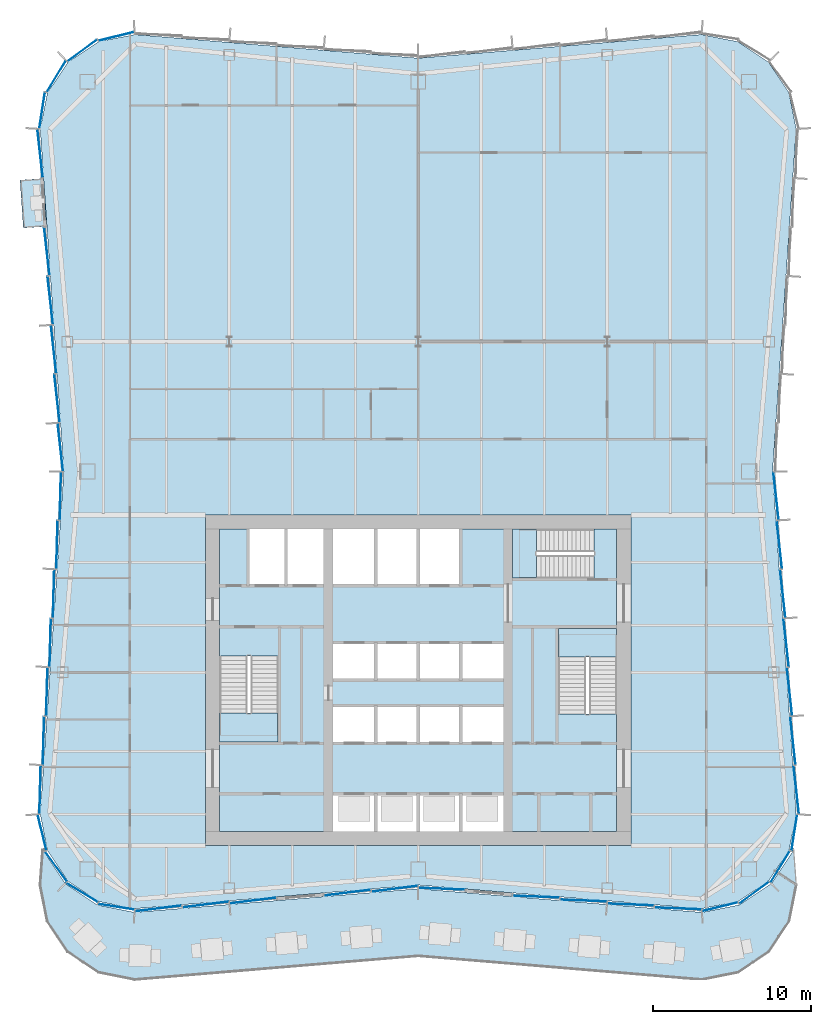
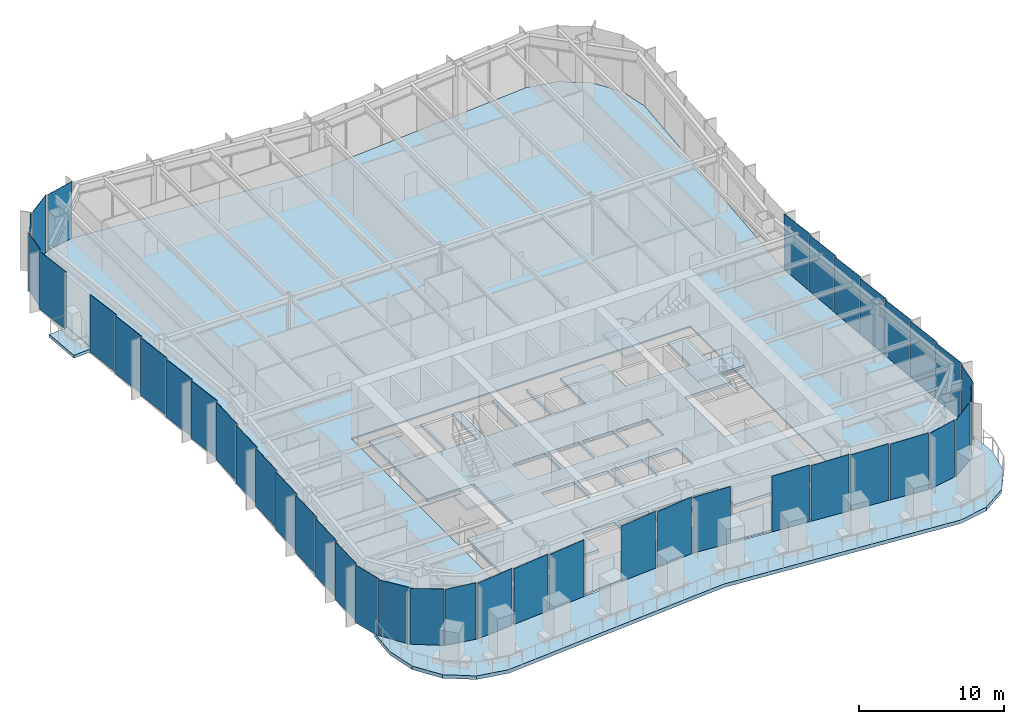
# One storey, part 7 of 16: 42 plates, 7 slabs, 9 elements without a shape of their own.
"""IFC4 building model written with IfcOpenShell, lengths in metres."""

from ifc_helpers import new_model, si_unit, direction, frame, origin, origin_2d, place, context, subcontext, project, spatial, polyline, rectangle, outline, extrude, material, layer, layer_set, type_object, element, aggregate, save


model = new_model("IFC4")

# Units and contexts
model_context = context("Model", 3, precision=1e-05, world=origin(), true_north=direction((0.0, 1.0)))
body_context = subcontext(model_context, "Body", "Model", "MODEL_VIEW")
ifc_project = project(units=[si_unit("LENGTHUNIT", "METRE"), si_unit("AREAUNIT", "SQUARE_METRE"), si_unit("VOLUMEUNIT", "CUBIC_METRE"), si_unit("PLANEANGLEUNIT", "RADIAN"), si_unit("MASSUNIT", "GRAM", prefix="KILO")], contexts=[model_context])

# Site, building, storey
site_placement = place(None, origin())
site = spatial("IfcSite", under=ifc_project, at=site_placement, CompositionType="ELEMENT")
building_placement = place(site_placement, origin())
building = spatial("IfcBuilding", under=site, at=building_placement, Name="Verdant Reach Tower", CompositionType="ELEMENT")
storey_placement = place(building_placement, frame((0.0, 0.0, 177.0)))
storey = spatial("IfcBuildingStorey", under=building, at=storey_placement, Name="L40", CompositionType="ELEMENT", Elevation=177.0)

# Stair, slab
ifc_material_1 = material(Name="Concrete C40/50", Category="concrete")
stair_type = type_object("IfcStairType", Name="CO-STAIR", PredefinedType="HALF_TURN_STAIR", material=ifc_material_1)
stair_1_placement = place(storey_placement, origin())
stair_1 = element("IfcStair", 1, at=stair_1_placement, inside=storey, type_object=stair_type, Name="L40 Exit stair 1", PredefinedType="HALF_TURN_STAIR")
ifc_layer_1 = layer(ifc_material_1, 0.199951171875)
ifc_layer_set_1 = layer_set([ifc_layer_1], Name="CO-STAIR-LANDING")
slab_type_1 = type_object("IfcSlabType", Name="CO-STAIR-LANDING", PredefinedType="LANDING", material=ifc_layer_set_1)
slab_1_placement = place(storey_placement, frame((0.0, 0.0, 2.300048828125)))
slab_1 = element("IfcSlab", 2, at=slab_1_placement, type_object=slab_type_1, Name="ST-1 landing 1", PredefinedType="LANDING", context=body_context, shape_type="SweptSolid", body=[
    extrude(outline(polyline([(-12.60009765625, 25.909912109375), (-12.60009765625, 24.10009765625), (-8.89990234375, 24.10009765625), (-8.89990234375, 25.909912109375), (-12.60009765625, 25.909912109375)])), origin(), (0.0, 0.0, 1.0), 0.199951171875),
])
aggregate(stair_1, [slab_1])

stair_2_placement = place(storey_placement, origin())
stair_2 = element("IfcStair", 3, at=stair_2_placement, inside=storey, type_object=stair_type, Name="L40 Exit stair 2", PredefinedType="HALF_TURN_STAIR")
slab_2_placement = place(storey_placement, frame((0.0, 0.0, 2.300048828125)))
slab_2 = element("IfcSlab", 4, at=slab_2_placement, type_object=slab_type_1, Name="ST-2 landing 1", PredefinedType="LANDING", context=body_context, shape_type="SweptSolid", body=[
    extrude(outline(polyline([(12.60009765625, 29.489990234375), (12.60009765625, 31.300048828125), (8.89990234375, 31.300048828125), (8.89990234375, 29.489990234375), (12.60009765625, 29.489990234375)])), origin(), (0.0, 0.0, 1.0), 0.199951171875),
])
aggregate(stair_2, [slab_2])

stair_3_placement = place(storey_placement, origin())
stair_3 = element("IfcStair", 5, at=stair_3_placement, inside=storey, type_object=stair_type, Name="L40 Exit stair 3", PredefinedType="HALF_TURN_STAIR")
slab_3_placement = place(storey_placement, frame((0.0, 0.0, 2.300048828125)))
slab_3 = element("IfcSlab", 6, at=slab_3_placement, type_object=slab_type_1, Name="ST-3 landing 1", PredefinedType="LANDING", context=body_context, shape_type="SweptSolid", body=[
    extrude(outline(polyline([(7.510009765625, 37.60009765625), (6.0, 37.60009765625), (6.0, 34.5), (7.510009765625, 34.5), (7.510009765625, 37.60009765625)])), origin(), (0.0, 0.0, 1.0), 0.199951171875),
])
aggregate(stair_3, [slab_3])

# Slab
ifc_material_2 = material(Name="Concrete C35/45", Category="concrete")
ifc_layer_2 = layer(ifc_material_2, 0.25)
ifc_layer_set_2 = layer_set([ifc_layer_2], Name="EN-BALCONY SLAB")
slab_type_2 = type_object("IfcSlabType", Name="EN-BALCONY SLAB", PredefinedType="FLOOR", material=ifc_layer_set_2)
slab_4_placement = place(storey_placement, frame((0.0, 0.0, -0.25)))
element("IfcSlab", 7, at=slab_4_placement, inside=storey, type_object=slab_type_2, Name="Balcony slab 1, L40", PredefinedType="FLOOR", context=body_context, shape_type="SweptSolid", body=[
    extrude(outline(polyline([(-23.783447265625, 59.85986328125), (-23.57373046875, 56.818603515625), (-25.070068359375, 56.71533203125), (-25.27978515625, 59.7568359375), (-23.783447265625, 59.85986328125)])), origin(), (0.0, 0.0, 1.0), 0.25),
])

# Curtain wall, plates
ifc_material_3 = material(Name="Anodised aluminium", Category="aluminium")
curtain_wall_type = type_object("IfcCurtainWallType", Name="EN-CW SYSTEM Z3", PredefinedType="NOTDEFINED", material=ifc_material_3)
curtain_wall_1_placement = place(storey_placement, origin())
curtain_wall_1 = element("IfcCurtainWall", 8, at=curtain_wall_1_placement, inside=storey, type_object=curtain_wall_type, Name="Curtain wall south-east corner, L40", PredefinedType="NOTDEFINED")
ifc_material_4 = material(Name="Tinted glass with champagne spandrel", Category="glass")
ifc_layer_3 = layer(ifc_material_4, 0.031982421875)
ifc_layer_set_3 = layer_set([ifc_layer_3], Name="EN-PANEL CHAMPAGNE")
plate_type_1 = type_object("IfcPlateType", Name="EN-PANEL CHAMPAGNE", PredefinedType="CURTAIN_PANEL", material=ifc_layer_set_3)
plate_1_placement = place(storey_placement, frame((19.171875, 13.62353515625, -0.22412109375), z_axis=(0.0, 0.0, 1.0), x_axis=(0.971655117833, 0.236402901821, 0.0)))
plate_1 = element("IfcPlate", 9, at=plate_1_placement, type_object=plate_type_1, Name="Glass panel south-east corner 1.1, L40", PredefinedType="CURTAIN_PANEL", context=body_context, shape_type="SweptSolid", body=[
    extrude(rectangle(XDim=2.3154296875, YDim=0.031982421875, at=origin_2d()), origin(), (0.0, 0.0, 1.0), 4.8740234375),
])
plate_2_placement = place(storey_placement, frame((21.328857421875, 14.51806640625, -0.22412109375), z_axis=(0.0, 0.0, 1.0), x_axis=(0.807456768214, 0.589926747542, 0.0)))
plate_2 = element("IfcPlate", 10, at=plate_2_placement, type_object=plate_type_1, Name="Glass panel south-east corner 2.1, L40", PredefinedType="CURTAIN_PANEL", context=body_context, shape_type="SweptSolid", body=[
    extrude(rectangle(XDim=2.321533203125, YDim=0.031982421875, at=origin_2d()), origin(), (0.0, 0.0, 1.0), 4.8740234375),
])
plate_3_placement = place(storey_placement, frame((22.98193359375, 16.171142578125, -0.22412109375), z_axis=(0.0, 0.0, 1.0), x_axis=(0.520291550457, 0.853988701636, 0.0)))
plate_3 = element("IfcPlate", 11, at=plate_3_placement, type_object=plate_type_1, Name="Glass panel south-east corner 3.1, L40", PredefinedType="CURTAIN_PANEL", context=body_context, shape_type="SweptSolid", body=[
    extrude(rectangle(XDim=2.321533203125, YDim=0.031982421875, at=origin_2d()), origin(), (0.0, 0.0, 1.0), 4.8740234375),
])

curtain_wall_2_placement = place(storey_placement, origin())
curtain_wall_2 = element("IfcCurtainWall", 12, at=curtain_wall_2_placement, inside=storey, type_object=curtain_wall_type, Name="Curtain wall east, L40", PredefinedType="NOTDEFINED")
plate_4_placement = place(storey_placement, frame((24.001708984375, 21.053955078125, -0.22412109375), z_axis=(0.0, 0.0, 1.0), x_axis=(-0.110214229533, 0.993907854687, 0.0)))
plate_4 = element("IfcPlate", 13, at=plate_4_placement, type_object=plate_type_1, Name="Glass panel east face part 1 1.1, L40", PredefinedType="CURTAIN_PANEL", context=body_context, shape_type="SweptSolid", body=[
    extrude(rectangle(XDim=3.06689453125, YDim=0.031982421875, at=origin_2d()), origin(), (0.0, 0.0, 1.0), 4.8740234375),
])
plate_5_placement = place(storey_placement, frame((22.716064453125, 39.7001953125, -0.22412109375), z_axis=(0.0, 0.0, 1.0), x_axis=(-0.110600785385, 0.993864913493, 0.0)))
plate_5 = element("IfcPlate", 14, at=plate_5_placement, type_object=plate_type_1, Name="Glass panel east face part 1 7.1, L40", PredefinedType="CURTAIN_PANEL", context=body_context, shape_type="SweptSolid", body=[
    extrude(rectangle(XDim=3.044921875, YDim=0.031982421875, at=origin_2d()), origin(), (0.0, 0.0, 1.0), 4.8740234375),
])

curtain_wall_3_placement = place(storey_placement, origin())
curtain_wall_3 = element("IfcCurtainWall", 15, at=curtain_wall_3_placement, inside=storey, type_object=curtain_wall_type, Name="Curtain wall west, L40", PredefinedType="NOTDEFINED")
plate_6_placement = place(storey_placement, frame((-23.358642578125, 52.117431640625, -0.22412109375), z_axis=(0.0, 0.0, 1.0), x_axis=(0.110518162674, -0.993874104562, 0.0)))
plate_6 = element("IfcPlate", 16, at=plate_6_placement, type_object=plate_type_1, Name="Glass panel west face part 1 4.1, L40", PredefinedType="CURTAIN_PANEL", context=body_context, shape_type="SweptSolid", body=[
    extrude(rectangle(XDim=3.052490234375, YDim=0.031982421875, at=origin_2d()), origin(), (0.0, 0.0, 1.0), 4.8740234375),
])
plate_7_placement = place(storey_placement, frame((-23.14453125, 49.01025390625, -0.22412109375), z_axis=(0.0, 0.0, 1.0), x_axis=(0.110518162674, -0.993874104562, 0.0)))
plate_7 = element("IfcPlate", 17, at=plate_7_placement, type_object=plate_type_1, Name="Glass panel west face part 1 5.1, L40", PredefinedType="CURTAIN_PANEL", context=body_context, shape_type="SweptSolid", body=[
    extrude(rectangle(XDim=3.052490234375, YDim=0.031982421875, at=origin_2d()), origin(), (0.0, 0.0, 1.0), 4.8740234375),
])
plate_8_placement = place(storey_placement, frame((-23.572998046875, 27.275390625, -0.22412109375), z_axis=(0.0, 0.0, 1.0), x_axis=(-0.026965318308, -0.999636369691, 0.0)))
plate_8 = element("IfcPlate", 18, at=plate_8_placement, type_object=plate_type_1, Name="Glass panel west face part 2 5.1, L40", PredefinedType="CURTAIN_PANEL", context=body_context, shape_type="SweptSolid", body=[
    extrude(rectangle(XDim=3.052490234375, YDim=0.031982421875, at=origin_2d()), origin(), (0.0, 0.0, 1.0), 4.8740234375),
])
plate_9_placement = place(storey_placement, frame((-23.787353515625, 24.168212890625, -0.22412109375), z_axis=(0.0, 0.0, 1.0), x_axis=(-0.026965318308, -0.999636369691, 0.0)))
plate_9 = element("IfcPlate", 19, at=plate_9_placement, type_object=plate_type_1, Name="Glass panel west face part 2 6.1, L40", PredefinedType="CURTAIN_PANEL", context=body_context, shape_type="SweptSolid", body=[
    extrude(rectangle(XDim=3.052490234375, YDim=0.031982421875, at=origin_2d()), origin(), (0.0, 0.0, 1.0), 4.8740234375),
])
plate_10_placement = place(storey_placement, frame((-24.001708984375, 21.053955078125, -0.22412109375), z_axis=(0.0, 0.0, 1.0), x_axis=(-0.026659626966, -0.999644568979, 0.0)))
plate_10 = element("IfcPlate", 20, at=plate_10_placement, type_object=plate_type_1, Name="Glass panel west face part 2 7.1, L40", PredefinedType="CURTAIN_PANEL", context=body_context, shape_type="SweptSolid", body=[
    extrude(rectangle(XDim=3.06689453125, YDim=0.031982421875, at=origin_2d()), origin(), (0.0, 0.0, 1.0), 4.8740234375),
])

# Curtain wall, plate
curtain_wall_4_placement = place(storey_placement, origin())
curtain_wall_4 = element("IfcCurtainWall", 21, at=curtain_wall_4_placement, inside=storey, type_object=curtain_wall_type, Name="Curtain wall south-west corner, L40", PredefinedType="NOTDEFINED")
plate_11_placement = place(storey_placement, frame((-19.171875, 13.62353515625, -0.22412109375), z_axis=(0.0, 0.0, 1.0), x_axis=(0.988029071555, -0.154267798848, 0.0)))
plate_11 = element("IfcPlate", 22, at=plate_11_placement, type_object=plate_type_1, Name="Glass panel south-west corner 4.1, L40", PredefinedType="CURTAIN_PANEL", context=body_context, shape_type="SweptSolid", body=[
    extrude(rectangle(XDim=2.3154296875, YDim=0.031982421875, at=origin_2d()), origin(), (0.0, 0.0, 1.0), 4.8740234375),
])

# Curtain wall, plates
curtain_wall_5_placement = place(storey_placement, origin())
curtain_wall_5 = element("IfcCurtainWall", 23, at=curtain_wall_5_placement, inside=storey, type_object=curtain_wall_type, Name="Curtain wall south, L40", PredefinedType="NOTDEFINED")
plate_12_placement = place(storey_placement, frame((-16.49853515625, 13.516357421875, -0.22412109375), z_axis=(0.0, 0.0, 1.0), x_axis=(0.992237766434, 0.124355196363, 0.0)))
plate_12 = element("IfcPlate", 24, at=plate_12_placement, type_object=plate_type_1, Name="Glass panel south face part 1 1.1, L40", PredefinedType="CURTAIN_PANEL", context=body_context, shape_type="SweptSolid", body=[
    extrude(rectangle(XDim=2.963623046875, YDim=0.031982421875, at=origin_2d()), origin(), (0.0, 0.0, 1.0), 4.8740234375),
])
plate_13_placement = place(storey_placement, frame((-13.490966796875, 13.766357421875, -0.22412109375), z_axis=(0.0, 0.0, 1.0), x_axis=(0.992194034542, 0.124703639961, 0.0)))
plate_13 = element("IfcPlate", 25, at=plate_13_placement, type_object=plate_type_1, Name="Glass panel south face part 1 2.1, L40", PredefinedType="CURTAIN_PANEL", context=body_context, shape_type="SweptSolid", body=[
    extrude(rectangle(XDim=2.948486328125, YDim=0.031982421875, at=origin_2d()), origin(), (0.0, 0.0, 1.0), 4.8740234375),
])
plate_14_placement = place(storey_placement, frame((-10.490966796875, 14.016357421875, -0.22412109375), z_axis=(0.0, 0.0, 1.0), x_axis=(0.992194034542, 0.124703639961, 0.0)))
plate_14 = element("IfcPlate", 26, at=plate_14_placement, type_object=plate_type_1, Name="Glass panel south face part 1 3.1, L40", PredefinedType="CURTAIN_PANEL", context=body_context, shape_type="SweptSolid", body=[
    extrude(rectangle(XDim=2.948486328125, YDim=0.031982421875, at=origin_2d()), origin(), (0.0, 0.0, 1.0), 4.8740234375),
])
plate_15_placement = place(storey_placement, frame((7.490966796875, 14.266357421875, -0.22412109375), z_axis=(0.0, 0.0, 1.0), x_axis=(0.999149202059, -0.041241629766, 0.0)))
plate_15 = element("IfcPlate", 27, at=plate_15_placement, type_object=plate_type_1, Name="Glass panel south face part 2 3.1, L40", PredefinedType="CURTAIN_PANEL", context=body_context, shape_type="SweptSolid", body=[
    extrude(rectangle(XDim=2.948486328125, YDim=0.031982421875, at=origin_2d()), origin(), (0.0, 0.0, 1.0), 4.8740234375),
])
plate_16_placement = place(storey_placement, frame((10.490966796875, 14.016357421875, -0.22412109375), z_axis=(0.0, 0.0, 1.0), x_axis=(0.999149202059, -0.041241629766, 0.0)))
plate_16 = element("IfcPlate", 28, at=plate_16_placement, type_object=plate_type_1, Name="Glass panel south face part 2 4.1, L40", PredefinedType="CURTAIN_PANEL", context=body_context, shape_type="SweptSolid", body=[
    extrude(rectangle(XDim=2.948486328125, YDim=0.031982421875, at=origin_2d()), origin(), (0.0, 0.0, 1.0), 4.8740234375),
])

# Plate
ifc_material_5 = material(Name="Tinted glass with copper spandrel", Category="glass")
ifc_layer_4 = layer(ifc_material_5, 0.031982421875)
ifc_layer_set_4 = layer_set([ifc_layer_4], Name="EN-PANEL COPPER")
plate_type_2 = type_object("IfcPlateType", Name="EN-PANEL COPPER", PredefinedType="CURTAIN_PANEL", material=ifc_layer_set_4)
plate_17_placement = place(storey_placement, frame((23.87646484375, 18.32763671875, -0.22412109375), z_axis=(0.0, 0.0, 1.0), x_axis=(0.154311870796, 0.988022189291, 0.0)))
plate_17 = element("IfcPlate", 29, at=plate_17_placement, type_object=plate_type_2, Name="Glass panel south-east corner 4.1, L40", PredefinedType="CURTAIN_PANEL", context=body_context, shape_type="SweptSolid", body=[
    extrude(rectangle(XDim=2.314697265625, YDim=0.031982421875, at=origin_2d()), origin(), (0.0, 0.0, 1.0), 4.8740234375),
])

aggregate(curtain_wall_1, [plate_1, plate_2, plate_3, plate_17])

plate_18_placement = place(storey_placement, frame((23.787353515625, 24.168212890625, -0.22412109375), z_axis=(0.0, 0.0, 1.0), x_axis=(-0.110518162674, 0.993874104562, 0.0)))
plate_18 = element("IfcPlate", 30, at=plate_18_placement, type_object=plate_type_2, Name="Glass panel east face part 1 2.1, L40", PredefinedType="CURTAIN_PANEL", context=body_context, shape_type="SweptSolid", body=[
    extrude(rectangle(XDim=3.052490234375, YDim=0.031982421875, at=origin_2d()), origin(), (0.0, 0.0, 1.0), 4.8740234375),
])

plate_19_placement = place(storey_placement, frame((23.572998046875, 27.275390625, -0.22412109375), z_axis=(0.0, 0.0, 1.0), x_axis=(-0.110518162674, 0.993874104562, 0.0)))
plate_19 = element("IfcPlate", 31, at=plate_19_placement, type_object=plate_type_2, Name="Glass panel east face part 1 3.1, L40", PredefinedType="CURTAIN_PANEL", context=body_context, shape_type="SweptSolid", body=[
    extrude(rectangle(XDim=3.052490234375, YDim=0.031982421875, at=origin_2d()), origin(), (0.0, 0.0, 1.0), 4.8740234375),
])

plate_20_placement = place(storey_placement, frame((23.358642578125, 30.382568359375, -0.22412109375), z_axis=(0.0, 0.0, 1.0), x_axis=(-0.110518162674, 0.993874104562, 0.0)))
plate_20 = element("IfcPlate", 32, at=plate_20_placement, type_object=plate_type_2, Name="Glass panel east face part 1 4.1, L40", PredefinedType="CURTAIN_PANEL", context=body_context, shape_type="SweptSolid", body=[
    extrude(rectangle(XDim=3.052490234375, YDim=0.031982421875, at=origin_2d()), origin(), (0.0, 0.0, 1.0), 4.8740234375),
])

# Curtain wall, plates
curtain_wall_6_placement = place(storey_placement, origin())
curtain_wall_6 = element("IfcCurtainWall", 33, at=curtain_wall_6_placement, inside=storey, type_object=curtain_wall_type, Name="Curtain wall north-west corner, L40", PredefinedType="NOTDEFINED")
plate_21_placement = place(storey_placement, frame((-19.171875, 68.87646484375, -0.22412109375), z_axis=(0.0, 0.0, 1.0), x_axis=(-0.971655117833, -0.236402901821, 0.0)))
plate_21 = element("IfcPlate", 34, at=plate_21_placement, type_object=plate_type_2, Name="Glass panel north-west corner 1.1, L40", PredefinedType="CURTAIN_PANEL", context=body_context, shape_type="SweptSolid", body=[
    extrude(rectangle(XDim=2.3154296875, YDim=0.031982421875, at=origin_2d()), origin(), (0.0, 0.0, 1.0), 4.8740234375),
])
plate_22_placement = place(storey_placement, frame((-21.328857421875, 67.98193359375, -0.22412109375), z_axis=(0.0, 0.0, 1.0), x_axis=(-0.807456768214, -0.589926747542, 0.0)))
plate_22 = element("IfcPlate", 35, at=plate_22_placement, type_object=plate_type_2, Name="Glass panel north-west corner 2.1, L40", PredefinedType="CURTAIN_PANEL", context=body_context, shape_type="SweptSolid", body=[
    extrude(rectangle(XDim=2.321533203125, YDim=0.031982421875, at=origin_2d()), origin(), (0.0, 0.0, 1.0), 4.8740234375),
])

# Plate
plate_23_placement = place(storey_placement, frame((-22.93017578125, 45.9033203125, -0.22412109375), z_axis=(0.0, 0.0, 1.0), x_axis=(0.110518162674, -0.993874104562, 0.0)))
plate_23 = element("IfcPlate", 36, at=plate_23_placement, type_object=plate_type_2, Name="Glass panel west face part 1 6.1, L40", PredefinedType="CURTAIN_PANEL", context=body_context, shape_type="SweptSolid", body=[
    extrude(rectangle(XDim=3.052490234375, YDim=0.031982421875, at=origin_2d()), origin(), (0.0, 0.0, 1.0), 4.8740234375),
])

plate_24_placement = place(storey_placement, frame((-22.716064453125, 42.7998046875, -0.22412109375), z_axis=(0.0, 0.0, 1.0), x_axis=(0.110600785385, -0.993864913493, 0.0)))
plate_24 = element("IfcPlate", 37, at=plate_24_placement, type_object=plate_type_2, Name="Glass panel west face part 1 7.1, L40", PredefinedType="CURTAIN_PANEL", context=body_context, shape_type="SweptSolid", body=[
    extrude(rectangle(XDim=3.044921875, YDim=0.031982421875, at=origin_2d()), origin(), (0.0, 0.0, 1.0), 4.8740234375),
])

plate_25_placement = place(storey_placement, frame((-22.716064453125, 39.7001953125, -0.22412109375), z_axis=(0.0, 0.0, 1.0), x_axis=(-0.027048420339, -0.999634124546, 0.0)))
plate_25 = element("IfcPlate", 38, at=plate_25_placement, type_object=plate_type_2, Name="Glass panel west face part 2 1.1, L40", PredefinedType="CURTAIN_PANEL", context=body_context, shape_type="SweptSolid", body=[
    extrude(rectangle(XDim=3.044921875, YDim=0.031982421875, at=origin_2d()), origin(), (0.0, 0.0, 1.0), 4.8740234375),
])

plate_26_placement = place(storey_placement, frame((-22.93017578125, 36.5966796875, -0.22412109375), z_axis=(0.0, 0.0, 1.0), x_axis=(-0.026965318308, -0.999636369691, 0.0)))
plate_26 = element("IfcPlate", 39, at=plate_26_placement, type_object=plate_type_2, Name="Glass panel west face part 2 2.1, L40", PredefinedType="CURTAIN_PANEL", context=body_context, shape_type="SweptSolid", body=[
    extrude(rectangle(XDim=3.052490234375, YDim=0.031982421875, at=origin_2d()), origin(), (0.0, 0.0, 1.0), 4.8740234375),
])

plate_27_placement = place(storey_placement, frame((-4.490966796875, 14.516357421875, -0.22412109375), z_axis=(0.0, 0.0, 1.0), x_axis=(0.992194034542, 0.124703639961, 0.0)))
plate_27 = element("IfcPlate", 40, at=plate_27_placement, type_object=plate_type_2, Name="Glass panel south face part 1 5.1, L40", PredefinedType="CURTAIN_PANEL", context=body_context, shape_type="SweptSolid", body=[
    extrude(rectangle(XDim=2.948486328125, YDim=0.031982421875, at=origin_2d()), origin(), (0.0, 0.0, 1.0), 4.8740234375),
])

plate_28_placement = place(storey_placement, frame((13.490966796875, 13.766357421875, -0.22412109375), z_axis=(0.0, 0.0, 1.0), x_axis=(0.999149202059, -0.041241629766, 0.0)))
plate_28 = element("IfcPlate", 41, at=plate_28_placement, type_object=plate_type_2, Name="Glass panel south face part 2 5.1, L40", PredefinedType="CURTAIN_PANEL", context=body_context, shape_type="SweptSolid", body=[
    extrude(rectangle(XDim=2.948486328125, YDim=0.031982421875, at=origin_2d()), origin(), (0.0, 0.0, 1.0), 4.8740234375),
])

plate_29_placement = place(storey_placement, frame((16.49853515625, 13.516357421875, -0.22412109375), z_axis=(0.0, 0.0, 1.0), x_axis=(0.999163623568, -0.040890748818, 0.0)))
plate_29 = element("IfcPlate", 42, at=plate_29_placement, type_object=plate_type_2, Name="Glass panel south face part 2 6.1, L40", PredefinedType="CURTAIN_PANEL", context=body_context, shape_type="SweptSolid", body=[
    extrude(rectangle(XDim=2.963623046875, YDim=0.031982421875, at=origin_2d()), origin(), (0.0, 0.0, 1.0), 4.8740234375),
])

ifc_material_6 = material(Name="Tinted glass with dark bronze spandrel", Category="glass")
ifc_layer_5 = layer(ifc_material_6, 0.031982421875)
ifc_layer_set_5 = layer_set([ifc_layer_5], Name="EN-PANEL DARK")
plate_type_3 = type_object("IfcPlateType", Name="EN-PANEL DARK", PredefinedType="CURTAIN_PANEL", material=ifc_layer_set_5)
plate_30_placement = place(storey_placement, frame((23.14453125, 33.48974609375, -0.22412109375), z_axis=(0.0, 0.0, 1.0), x_axis=(-0.110518162674, 0.993874104562, 0.0)))
plate_30 = element("IfcPlate", 43, at=plate_30_placement, type_object=plate_type_3, Name="Glass panel east face part 1 5.1, L40", PredefinedType="CURTAIN_PANEL", context=body_context, shape_type="SweptSolid", body=[
    extrude(rectangle(XDim=3.052490234375, YDim=0.031982421875, at=origin_2d()), origin(), (0.0, 0.0, 1.0), 4.8740234375),
])

plate_31_placement = place(storey_placement, frame((22.93017578125, 36.5966796875, -0.22412109375), z_axis=(0.0, 0.0, 1.0), x_axis=(-0.110518162674, 0.993874104562, 0.0)))
plate_31 = element("IfcPlate", 44, at=plate_31_placement, type_object=plate_type_3, Name="Glass panel east face part 1 6.1, L40", PredefinedType="CURTAIN_PANEL", context=body_context, shape_type="SweptSolid", body=[
    extrude(rectangle(XDim=3.052490234375, YDim=0.031982421875, at=origin_2d()), origin(), (0.0, 0.0, 1.0), 4.8740234375),
])

aggregate(curtain_wall_2, [plate_4, plate_18, plate_19, plate_20, plate_30, plate_31, plate_5])

plate_32_placement = place(storey_placement, frame((-22.98193359375, 66.328857421875, -0.22412109375), z_axis=(0.0, 0.0, 1.0), x_axis=(-0.520291550457, -0.853988701636, 0.0)))
plate_32 = element("IfcPlate", 45, at=plate_32_placement, type_object=plate_type_3, Name="Glass panel north-west corner 3.1, L40", PredefinedType="CURTAIN_PANEL", context=body_context, shape_type="SweptSolid", body=[
    extrude(rectangle(XDim=2.321533203125, YDim=0.031982421875, at=origin_2d()), origin(), (0.0, 0.0, 1.0), 4.8740234375),
])

plate_33_placement = place(storey_placement, frame((-23.87646484375, 64.17236328125, -0.22412109375), z_axis=(0.0, 0.0, 1.0), x_axis=(-0.154311870796, -0.988022189291, 0.0)))
plate_33 = element("IfcPlate", 46, at=plate_33_placement, type_object=plate_type_3, Name="Glass panel north-west corner 4.1, L40", PredefinedType="CURTAIN_PANEL", context=body_context, shape_type="SweptSolid", body=[
    extrude(rectangle(XDim=2.314697265625, YDim=0.031982421875, at=origin_2d()), origin(), (0.0, 0.0, 1.0), 4.8740234375),
])

aggregate(curtain_wall_6, [plate_21, plate_22, plate_32, plate_33])

plate_34_placement = place(storey_placement, frame((-24.001708984375, 61.446044921875, -0.22412109375), z_axis=(0.0, 0.0, 1.0), x_axis=(0.110214229533, -0.993907854687, 0.0)))
plate_34 = element("IfcPlate", 47, at=plate_34_placement, type_object=plate_type_3, Name="Glass panel west face part 1 1.1, L40", PredefinedType="CURTAIN_PANEL", context=body_context, shape_type="SweptSolid", body=[
    extrude(rectangle(XDim=3.06689453125, YDim=0.031982421875, at=origin_2d()), origin(), (0.0, 0.0, 1.0), 4.8740234375),
])

plate_35_placement = place(storey_placement, frame((-23.572998046875, 55.224609375, -0.22412109375), z_axis=(0.0, 0.0, 1.0), x_axis=(0.110518162674, -0.993874104562, 0.0)))
plate_35 = element("IfcPlate", 48, at=plate_35_placement, type_object=plate_type_3, Name="Glass panel west face part 1 3.1, L40", PredefinedType="CURTAIN_PANEL", context=body_context, shape_type="SweptSolid", body=[
    extrude(rectangle(XDim=3.052490234375, YDim=0.031982421875, at=origin_2d()), origin(), (0.0, 0.0, 1.0), 4.8740234375),
])

plate_36_placement = place(storey_placement, frame((-23.14453125, 33.48974609375, -0.22412109375), z_axis=(0.0, 0.0, 1.0), x_axis=(-0.026965318308, -0.999636369691, 0.0)))
plate_36 = element("IfcPlate", 49, at=plate_36_placement, type_object=plate_type_3, Name="Glass panel west face part 2 3.1, L40", PredefinedType="CURTAIN_PANEL", context=body_context, shape_type="SweptSolid", body=[
    extrude(rectangle(XDim=3.052490234375, YDim=0.031982421875, at=origin_2d()), origin(), (0.0, 0.0, 1.0), 4.8740234375),
])

plate_37_placement = place(storey_placement, frame((-23.358642578125, 30.382568359375, -0.22412109375), z_axis=(0.0, 0.0, 1.0), x_axis=(-0.026965318308, -0.999636369691, 0.0)))
plate_37 = element("IfcPlate", 50, at=plate_37_placement, type_object=plate_type_3, Name="Glass panel west face part 2 4.1, L40", PredefinedType="CURTAIN_PANEL", context=body_context, shape_type="SweptSolid", body=[
    extrude(rectangle(XDim=3.052490234375, YDim=0.031982421875, at=origin_2d()), origin(), (0.0, 0.0, 1.0), 4.8740234375),
])

aggregate(curtain_wall_3, [plate_34, plate_35, plate_6, plate_7, plate_23, plate_24, plate_25, plate_26, plate_36, plate_37, plate_8, plate_9, plate_10])

plate_38_placement = place(storey_placement, frame((-23.87646484375, 18.32763671875, -0.22412109375), z_axis=(0.0, 0.0, 1.0), x_axis=(0.23644624331, -0.97164457186, 0.0)))
plate_38 = element("IfcPlate", 51, at=plate_38_placement, type_object=plate_type_3, Name="Glass panel south-west corner 1.1, L40", PredefinedType="CURTAIN_PANEL", context=body_context, shape_type="SweptSolid", body=[
    extrude(rectangle(XDim=2.314697265625, YDim=0.031982421875, at=origin_2d()), origin(), (0.0, 0.0, 1.0), 4.8740234375),
])

plate_39_placement = place(storey_placement, frame((-22.98193359375, 16.171142578125, -0.22412109375), z_axis=(0.0, 0.0, 1.0), x_axis=(0.589926747542, -0.807456768214, 0.0)))
plate_39 = element("IfcPlate", 52, at=plate_39_placement, type_object=plate_type_3, Name="Glass panel south-west corner 2.1, L40", PredefinedType="CURTAIN_PANEL", context=body_context, shape_type="SweptSolid", body=[
    extrude(rectangle(XDim=2.321533203125, YDim=0.031982421875, at=origin_2d()), origin(), (0.0, 0.0, 1.0), 4.8740234375),
])

plate_40_placement = place(storey_placement, frame((-21.328857421875, 14.51806640625, -0.22412109375), z_axis=(0.0, 0.0, 1.0), x_axis=(0.853988701636, -0.520291550457, 0.0)))
plate_40 = element("IfcPlate", 53, at=plate_40_placement, type_object=plate_type_3, Name="Glass panel south-west corner 3.1, L40", PredefinedType="CURTAIN_PANEL", context=body_context, shape_type="SweptSolid", body=[
    extrude(rectangle(XDim=2.321533203125, YDim=0.031982421875, at=origin_2d()), origin(), (0.0, 0.0, 1.0), 4.8740234375),
])

aggregate(curtain_wall_4, [plate_38, plate_39, plate_40, plate_11])

plate_41_placement = place(storey_placement, frame((-1.495361328125, 14.76611328125, -0.22412109375), z_axis=(0.0, 0.0, 1.0), x_axis=(0.992178382939, 0.124828107529, 0.0)))
plate_41 = element("IfcPlate", 54, at=plate_41_placement, type_object=plate_type_3, Name="Glass panel south face part 1 6.1, L40", PredefinedType="CURTAIN_PANEL", context=body_context, shape_type="SweptSolid", body=[
    extrude(rectangle(XDim=2.939453125, YDim=0.031982421875, at=origin_2d()), origin(), (0.0, 0.0, 1.0), 4.8740234375),
])

plate_42_placement = place(storey_placement, frame((1.495361328125, 14.76611328125, -0.22412109375), z_axis=(0.0, 0.0, 1.0), x_axis=(0.999144020525, -0.041366970501, 0.0)))
plate_42 = element("IfcPlate", 55, at=plate_42_placement, type_object=plate_type_3, Name="Glass panel south face part 2 1.1, L40", PredefinedType="CURTAIN_PANEL", context=body_context, shape_type="SweptSolid", body=[
    extrude(rectangle(XDim=2.939453125, YDim=0.031982421875, at=origin_2d()), origin(), (0.0, 0.0, 1.0), 4.8740234375),
])

aggregate(curtain_wall_5, [plate_12, plate_13, plate_14, plate_27, plate_41, plate_42, plate_15, plate_16, plate_28, plate_29])

# Slabs
ifc_material_7 = material(Name="Concrete C35/45 with stone paving", Category="masonry")
ifc_layer_6 = layer(ifc_material_7, 0.300048828125)
ifc_layer_set_6 = layer_set([ifc_layer_6], Name="EN-TERRACE PAVING")
slab_type_3 = type_object("IfcSlabType", Name="EN-TERRACE PAVING", PredefinedType="USERDEFINED", material=ifc_layer_set_6)
slab_5_placement = place(storey_placement, frame((0.0, 0.0, -0.300048828125)))
element("IfcSlab", 56, at=slab_5_placement, inside=storey, type_object=slab_type_3, Name="South terrace deck, L40", ObjectType="PAVING", PredefinedType="USERDEFINED", context=body_context, shape_type="SweptSolid", body=[
    extrude(outline(polyline([(24.0, 15.0), (23.543212890625, 12.703857421875), (22.24267578125, 10.75732421875), (20.296142578125, 9.456787109375), (18.0, 9.0), (0.0, 10.5), (-18.0, 9.0), (-20.296142578125, 9.456787109375), (-22.24267578125, 10.75732421875), (-23.543212890625, 12.703857421875), (-24.0, 15.0), (-23.818603515625, 17.419189453125), (-23.758056640625, 17.114990234375), (-22.406982421875, 15.093017578125), (-20.385009765625, 13.741943359375), (-18.012939453125, 13.27001953125), (0.0, 14.771240234375), (18.012939453125, 13.27001953125), (20.385009765625, 13.741943359375), (22.406982421875, 15.093017578125), (23.758056640625, 17.114990234375), (23.818603515625, 17.419189453125), (24.0, 15.0)])), origin(), (0.0, 0.0, 1.0), 0.300048828125),
])
ifc_material_8 = material(Name="Concrete C35/45", Category="concrete")
ifc_layer_7 = layer(ifc_material_8, 0.1298828125)
ifc_layer_set_7 = layer_set([ifc_layer_7], Name="ST-SLAB-130")
slab_type_4 = type_object("IfcSlabType", Name="ST-SLAB-130", PredefinedType="FLOOR", material=ifc_layer_set_7)
slab_6_placement = place(storey_placement, frame((0.0, 0.0, -0.1298828125)))
element("IfcSlab", 57, at=slab_6_placement, inside=storey, type_object=slab_type_4, Name="Floor slab L40", PredefinedType="FLOOR", context=body_context, shape_type="SweptSolid", body=[
    extrude(outline(polyline([(0.0, 15.0), (-18.0, 13.5), (-20.296142578125, 13.956787109375), (-22.24267578125, 15.25732421875), (-23.543212890625, 17.203857421875), (-24.0, 19.5), (-22.5, 41.25), (-24.0, 63.0), (-23.543212890625, 65.296142578125), (-22.24267578125, 67.24267578125), (-20.296142578125, 68.543212890625), (-18.0, 69.0), (0.0, 67.5), (18.0, 69.0), (20.296142578125, 68.543212890625), (22.24267578125, 67.24267578125), (23.543212890625, 65.296142578125), (24.0, 63.0), (22.5, 41.25), (24.0, 19.5), (23.543212890625, 17.203857421875), (22.24267578125, 15.25732421875), (20.296142578125, 13.956787109375), (18.0, 13.5), (0.0, 15.0)]), holes=[polyline([(13.5, 38.5), (-13.5, 38.5), (-13.5, 17.5), (13.5, 17.5), (13.5, 38.5)])]), origin(), (0.0, 0.0, 1.0), 0.1298828125),
])
ifc_layer_8 = layer(ifc_material_8, 0.25)
ifc_layer_set_8 = layer_set([ifc_layer_8], Name="ST-SLAB-250")
slab_type_5 = type_object("IfcSlabType", Name="ST-SLAB-250", PredefinedType="FLOOR", material=ifc_layer_set_8)
slab_7_placement = place(storey_placement, frame((0.0, 0.0, -0.25)))
element("IfcSlab", 58, at=slab_7_placement, inside=storey, type_object=slab_type_5, Name="Core floor slab L40", PredefinedType="FLOOR", context=body_context, shape_type="SweptSolid", body=[
    extrude(outline(polyline([(12.60009765625, 18.39990234375), (5.39990234375, 18.39990234375), (5.39990234375, 20.699951171875), (2.800048828125, 20.699951171875), (2.800048828125, 18.39990234375), (2.60009765625, 18.39990234375), (2.60009765625, 20.699951171875), (0.10009765625, 20.699951171875), (0.10009765625, 18.39990234375), (-0.10009765625, 18.39990234375), (-0.10009765625, 20.699951171875), (-2.60009765625, 20.699951171875), (-2.60009765625, 18.39990234375), (-2.800048828125, 18.39990234375), (-2.800048828125, 20.699951171875), (-5.39990234375, 20.699951171875), (-5.39990234375, 18.39990234375), (-12.60009765625, 18.39990234375), (-12.60009765625, 24.10009765625), (-8.89990234375, 24.10009765625), (-8.89990234375, 29.548095703125), (-12.60009765625, 29.548095703125), (-12.60009765625, 37.60009765625), (-10.699951171875, 37.60009765625), (-10.699951171875, 34.10009765625), (-8.5, 34.10009765625), (-8.5, 37.60009765625), (-8.300048828125, 37.60009765625), (-8.300048828125, 34.10009765625), (-6.0, 34.10009765625), (-6.0, 37.60009765625), (-5.39990234375, 37.60009765625), (-5.39990234375, 34.10009765625), (-2.800048828125, 34.10009765625), (-2.800048828125, 37.60009765625), (-2.60009765625, 37.60009765625), (-2.60009765625, 34.10009765625), (-0.10009765625, 34.10009765625), (-0.10009765625, 37.60009765625), (0.10009765625, 37.60009765625), (0.10009765625, 34.10009765625), (2.60009765625, 34.10009765625), (2.60009765625, 37.60009765625), (6.0, 37.60009765625), (6.0, 34.5), (11.14794921875, 34.5), (11.14794921875, 37.60009765625), (12.60009765625, 37.60009765625), (12.60009765625, 31.300048828125), (8.89990234375, 31.300048828125), (8.89990234375, 25.85205078125), (12.60009765625, 25.85205078125), (12.60009765625, 18.39990234375)]), holes=[polyline([(-2.800048828125, 24.10009765625), (-2.800048828125, 26.300048828125), (-5.39990234375, 26.300048828125), (-5.39990234375, 24.10009765625), (-2.800048828125, 24.10009765625)]), polyline([(-2.60009765625, 24.10009765625), (-0.10009765625, 24.10009765625), (-0.10009765625, 26.300048828125), (-2.60009765625, 26.300048828125), (-2.60009765625, 24.10009765625)]), polyline([(-2.800048828125, 28.10009765625), (-2.800048828125, 30.300048828125), (-5.39990234375, 30.300048828125), (-5.39990234375, 28.10009765625), (-2.800048828125, 28.10009765625)]), polyline([(-0.10009765625, 28.10009765625), (-0.10009765625, 30.300048828125), (-2.60009765625, 30.300048828125), (-2.60009765625, 28.10009765625), (-0.10009765625, 28.10009765625)]), polyline([(2.60009765625, 24.10009765625), (2.60009765625, 26.300048828125), (0.10009765625, 26.300048828125), (0.10009765625, 24.10009765625), (2.60009765625, 24.10009765625)]), polyline([(2.800048828125, 24.10009765625), (5.39990234375, 24.10009765625), (5.39990234375, 26.300048828125), (2.800048828125, 26.300048828125), (2.800048828125, 24.10009765625)]), polyline([(2.60009765625, 28.10009765625), (2.60009765625, 30.300048828125), (0.10009765625, 30.300048828125), (0.10009765625, 28.10009765625), (2.60009765625, 28.10009765625)]), polyline([(5.39990234375, 28.10009765625), (5.39990234375, 30.300048828125), (2.800048828125, 30.300048828125), (2.800048828125, 28.10009765625), (5.39990234375, 28.10009765625)])]), origin(), (0.0, 0.0, 1.0), 0.25),
])

save(model, "model.ifc")
